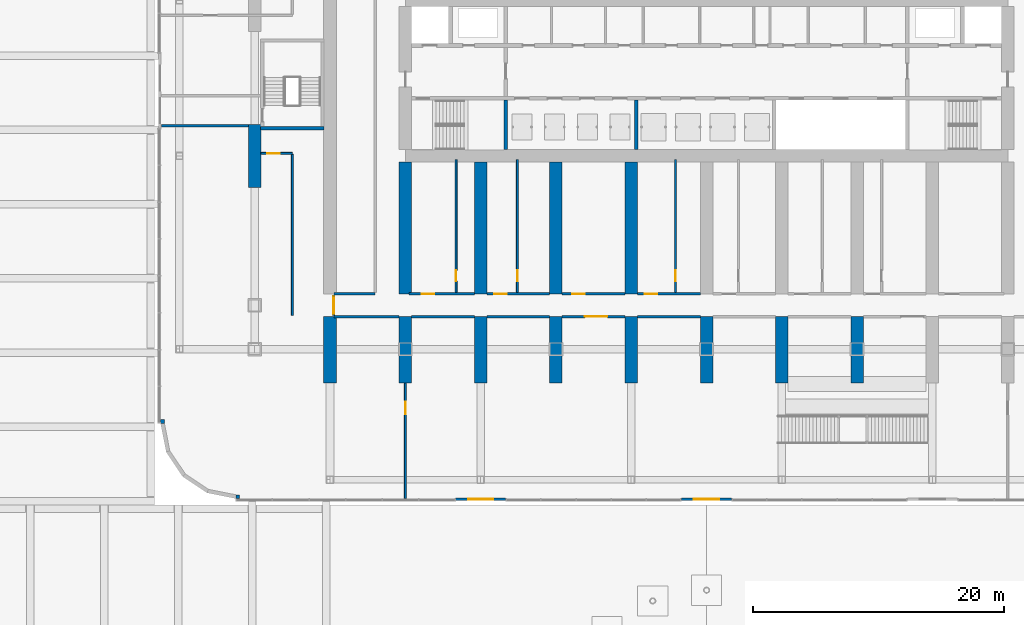
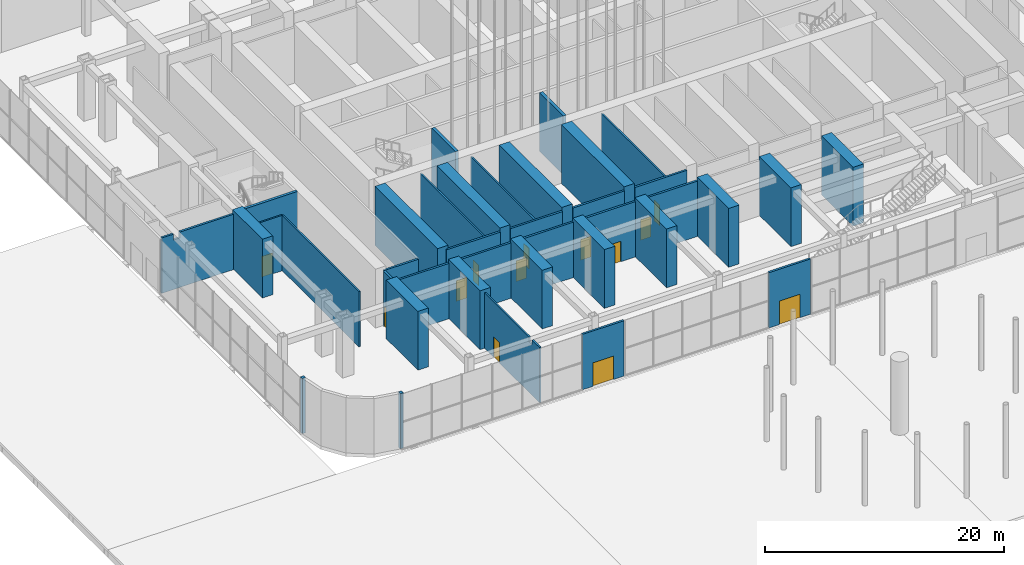
# One storey, part 17 of 57: 38 walls, 13 doors, 13 openings.
"""IFC4 building model written with IfcOpenShell, lengths in metres."""

from ifc_helpers import new_model, si_unit, direction, frame, frame_2d, origin, place, context, subcontext, project, spatial, polyline, rectangle, outline, extrude, material, layer, layer_set, type_object, element, fill, save


model = new_model("IFC4")

# Units and contexts
model_context = context("Model", 3, precision=1e-05, world=origin(), true_north=direction((0.0, 1.0)))
body_context = subcontext(model_context, "Body", "Model", "MODEL_VIEW")
ifc_project = project(units=[si_unit("LENGTHUNIT", "METRE"), si_unit("AREAUNIT", "SQUARE_METRE"), si_unit("VOLUMEUNIT", "CUBIC_METRE"), si_unit("PLANEANGLEUNIT", "RADIAN"), si_unit("MASSUNIT", "GRAM", prefix="KILO")], contexts=[model_context])

# Site, building, storey
site_placement = place(None, origin())
site = spatial("IfcSite", under=ifc_project, at=site_placement, CompositionType="ELEMENT")
building_placement = place(site_placement, origin())
building = spatial("IfcBuilding", under=site, at=building_placement, Name="Orbita Commons", CompositionType="ELEMENT")
storey_placement = place(building_placement, origin())
storey = spatial("IfcBuildingStorey", under=building, at=storey_placement, Name="L00", CompositionType="ELEMENT", Elevation=0.0)

# Walls
ifc_material_1 = material(Name="Concrete C50/60", Category="concrete")
ifc_layer_1 = layer(ifc_material_1, 0.300048828125)
ifc_layer_set_1 = layer_set([ifc_layer_1], Name="Concrete C50/60")
wall_type_1 = type_object("IfcWallType", Name="Core inner wall 300 C50/60", PredefinedType="SHEAR", material=ifc_layer_set_1)
for number, where, z_axis, x_axis, name in (
    (1, (26.0, 26.300048828125, 0.0), (0.0, 0.0, 1.0), (0.0, 1.0, 0.0), "Stair S1 wall L00"),
    (2, (36.39990234375, 26.300048828125, 0.0), (0.0, 0.0, 1.0), (0.0, 1.0, 0.0), "Hoistway division wall L00"),
):
    element("IfcWall", number, at=place(storey_placement, frame(where, z_axis=z_axis, x_axis=x_axis)), inside=storey, type_object=wall_type_1, Name=name, PredefinedType="SHEAR", context=body_context, shape_type="SweptSolid", body=[
        extrude(rectangle(XDim=3.949951171875, YDim=0.300048828125, at=frame_2d((1.97509765625, 0.0))), origin(), (0.0, 0.0, 1.0), 6.0),
    ])
ifc_material_2 = material(Name="Concrete blockwork", Category="masonry")
ifc_layer_2 = layer(ifc_material_2, 0.199951171875)
ifc_layer_set_2 = layer_set([ifc_layer_2], Name="Concrete blockwork")
wall_type_2 = type_object("IfcWallType", Name="Corridor wall 200 blockwork", PredefinedType="SOLIDWALL", material=ifc_layer_set_2)
wall_1_placement = place(storey_placement, frame((12.300048828125, 13.0, 0.0), z_axis=(0.0, 0.0, 1.0), x_axis=(1.0, 0.0, 0.0)))
element("IfcWall", 3, at=wall_1_placement, inside=storey, type_object=wall_type_2, Name="Corridor wall 200 blockwork L00", PredefinedType="SOLIDWALL", context=body_context, shape_type="SweptSolid", body=[
    extrude(rectangle(XDim=5.199951171875, YDim=0.199951171875, at=frame_2d((2.60009765625, 0.0))), origin(), (0.0, 0.0, 1.0), 5.64990234375),
])
for number, where, z_axis, x_axis, name in (
    (4, (18.5, 13.0, 0.0), (0.0, 0.0, 1.0), (1.0, 0.0, 0.0), "Corridor wall 200 blockwork L00"),
    (5, (24.5, 13.0, 0.0), (0.0, 0.0, 1.0), (1.0, 0.0, 0.0), "Corridor wall 200 blockwork L00"),
):
    element("IfcWall", number, at=place(storey_placement, frame(where, z_axis=z_axis, x_axis=x_axis)), inside=storey, type_object=wall_type_2, Name=name, PredefinedType="SOLIDWALL", context=body_context, shape_type="SweptSolid", body=[
        extrude(rectangle(XDim=5.0, YDim=0.199951171875, at=frame_2d((2.5, 0.0))), origin(), (0.0, 0.0, 1.0), 5.64990234375),
    ])

# Wall, opening, door
wall_2_placement = place(storey_placement, frame((30.5, 13.0, 0.0), z_axis=(0.0, 0.0, 1.0), x_axis=(1.0, 0.0, 0.0)))
wall_2 = element("IfcWall", 6, at=wall_2_placement, inside=storey, type_object=wall_type_2, Name="Corridor wall 200 blockwork L00", PredefinedType="SOLIDWALL", context=body_context, shape_type="SweptSolid", body=[
    extrude(rectangle(XDim=5.0, YDim=0.199951171875, at=frame_2d((2.5, 0.0))), origin(), (0.0, 0.0, 1.0), 5.64990234375),
])
opening_1_placement = place(wall_2_placement, frame((1.800048828125, 0.0, 0.0)))
opening_1 = element("IfcOpeningElement", 7, at=opening_1_placement, cuts=wall_2, Name="Opening D07", PredefinedType="OPENING", context=body_context, shape_type="SweptSolid", body=[
    extrude(rectangle(XDim=1.800048828125, YDim=2.10009765625, at=frame_2d((0.89990234375, 1.050048828125))), frame((0.0, 0.10986328125, 0.0), z_axis=(0.0, -1.0, 0.0), x_axis=(1.0, 0.0, 0.0)), (0.0, 0.0, 1.0), 0.219970703125),
])
ifc_material_3 = material(Name="Steel-faced fire door leaf", Category="steel")
door_type_1 = type_object("IfcDoorType", Name="Double corridor door 20 min 1800x2100", OperationType="DOUBLE_DOOR_SINGLE_SWING", PredefinedType="DOOR", material=ifc_material_3)
door_1_placement = place(opening_1_placement, origin())
door_1 = element("IfcDoor", 8, at=door_1_placement, inside=storey, type_object=door_type_1, Name="Hall doors south", OperationType="DOUBLE_DOOR_SINGLE_SWING", OverallHeight=2.10009765625, OverallWidth=1.800048828125, PredefinedType="DOOR", context=body_context, shape_type="SweptSolid", body=[
    extrude(rectangle(XDim=1.800048828125, YDim=2.10009765625, at=frame_2d((0.89990234375, 1.050048828125))), frame((0.0, 0.02490234375, 0.0), z_axis=(0.0, -1.0, 0.0), x_axis=(1.0, 0.0, 0.0)), (0.0, 0.0, 1.0), 0.050048828125),
])
fill(opening_1, door_1)

# Walls
wall_3_placement = place(storey_placement, frame((36.5, 13.0, 0.0), z_axis=(0.0, 0.0, 1.0), x_axis=(1.0, 0.0, 0.0)))
element("IfcWall", 9, at=wall_3_placement, inside=storey, type_object=wall_type_2, Name="Corridor wall 200 blockwork L00", PredefinedType="SOLIDWALL", context=body_context, shape_type="SweptSolid", body=[
    extrude(rectangle(XDim=5.0, YDim=0.199951171875, at=frame_2d((2.5, 0.0))), origin(), (0.0, 0.0, 1.0), 5.64990234375),
])
wall_4_placement = place(storey_placement, frame((12.300048828125, 14.800048828125, 0.0), z_axis=(0.0, 0.0, 1.0), x_axis=(1.0, 0.0, 0.0)))
element("IfcWall", 10, at=wall_4_placement, inside=storey, type_object=wall_type_2, Name="Corridor wall 200 blockwork L00", PredefinedType="SOLIDWALL", context=body_context, shape_type="SweptSolid", body=[
    extrude(rectangle(XDim=3.300048828125, YDim=0.199951171875, at=frame_2d((1.64990234375, 0.0))), origin(), (0.0, 0.0, 1.0), 5.64990234375),
])

# Wall, opening, door
wall_5_placement = place(storey_placement, frame((18.300048828125, 14.800048828125, 0.0), z_axis=(0.0, 0.0, 1.0), x_axis=(1.0, 0.0, 0.0)))
wall_5 = element("IfcWall", 11, at=wall_5_placement, inside=storey, type_object=wall_type_2, Name="Corridor wall 200 blockwork L00", PredefinedType="SOLIDWALL", context=body_context, shape_type="SweptSolid", body=[
    extrude(rectangle(XDim=5.199951171875, YDim=0.199951171875, at=frame_2d((2.60009765625, 0.0))), origin(), (0.0, 0.0, 1.0), 5.64990234375),
])
opening_2_placement = place(wall_5_placement, frame((1.0, 0.0, 0.0)))
opening_2 = element("IfcOpeningElement", 12, at=opening_2_placement, cuts=wall_5, Name="Opening D06", PredefinedType="OPENING", context=body_context, shape_type="SweptSolid", body=[
    extrude(rectangle(XDim=1.0, YDim=2.10009765625, at=frame_2d((0.5, 1.050048828125))), frame((0.0, 0.10986328125, 0.0), z_axis=(0.0, -1.0, 0.0), x_axis=(1.0, 0.0, 0.0)), (0.0, 0.0, 1.0), 0.219970703125),
])
ifc_material_4 = material(Name="Steel-faced fire door leaf", Category="steel")
door_type_2 = type_object("IfcDoorType", Name="Corridor door 20 min 1000x2100", OperationType="SINGLE_SWING_LEFT", PredefinedType="DOOR", material=ifc_material_4)
door_2_placement = place(opening_2_placement, origin())
door_2 = element("IfcDoor", 13, at=door_2_placement, inside=storey, type_object=door_type_2, Name="Room door", OperationType="SINGLE_SWING_LEFT", OverallHeight=2.10009765625, OverallWidth=1.0, PredefinedType="DOOR", context=body_context, shape_type="SweptSolid", body=[
    extrude(rectangle(XDim=1.0, YDim=2.10009765625, at=frame_2d((0.5, 1.050048828125))), frame((0.0, 0.02490234375, 0.0), z_axis=(0.0, -1.0, 0.0), x_axis=(1.0, 0.0, 0.0)), (0.0, 0.0, 1.0), 0.050048828125),
])
fill(opening_2, door_2)

wall_6_placement = place(storey_placement, frame((24.5, 14.800048828125, 0.0), z_axis=(0.0, 0.0, 1.0), x_axis=(1.0, 0.0, 0.0)))
wall_6 = element("IfcWall", 14, at=wall_6_placement, inside=storey, type_object=wall_type_2, Name="Corridor wall 200 blockwork L00", PredefinedType="SOLIDWALL", context=body_context, shape_type="SweptSolid", body=[
    extrude(rectangle(XDim=5.0, YDim=0.199951171875, at=frame_2d((2.5, 0.0))), origin(), (0.0, 0.0, 1.0), 5.64990234375),
])
opening_3_placement = place(wall_6_placement, frame((0.574951171875, 0.0, 0.0)))
opening_3 = element("IfcOpeningElement", 15, at=opening_3_placement, cuts=wall_6, Name="Opening D06", PredefinedType="OPENING", context=body_context, shape_type="SweptSolid", body=[
    extrude(rectangle(XDim=1.0, YDim=2.10009765625, at=frame_2d((0.5, 1.050048828125))), frame((0.0, 0.10986328125, 0.0), z_axis=(0.0, -1.0, 0.0), x_axis=(1.0, 0.0, 0.0)), (0.0, 0.0, 1.0), 0.219970703125),
])
door_3_placement = place(opening_3_placement, origin())
door_3 = element("IfcDoor", 16, at=door_3_placement, inside=storey, type_object=door_type_2, Name="Room door", OperationType="SINGLE_SWING_LEFT", OverallHeight=2.10009765625, OverallWidth=1.0, PredefinedType="DOOR", context=body_context, shape_type="SweptSolid", body=[
    extrude(rectangle(XDim=1.0, YDim=2.10009765625, at=frame_2d((0.5, 1.050048828125))), frame((0.0, 0.02490234375, 0.0), z_axis=(0.0, -1.0, 0.0), x_axis=(1.0, 0.0, 0.0)), (0.0, 0.0, 1.0), 0.050048828125),
])
fill(opening_3, door_3)

wall_7_placement = place(storey_placement, frame((30.5, 14.800048828125, 0.0), z_axis=(0.0, 0.0, 1.0), x_axis=(1.0, 0.0, 0.0)))
wall_7 = element("IfcWall", 17, at=wall_7_placement, inside=storey, type_object=wall_type_2, Name="Corridor wall 200 blockwork L00", PredefinedType="SOLIDWALL", context=body_context, shape_type="SweptSolid", body=[
    extrude(rectangle(XDim=5.0, YDim=0.199951171875, at=frame_2d((2.5, 0.0))), origin(), (0.0, 0.0, 1.0), 5.64990234375),
])
opening_4_placement = place(wall_7_placement, frame((0.800048828125, 0.0, 0.0)))
opening_4 = element("IfcOpeningElement", 18, at=opening_4_placement, cuts=wall_7, Name="Opening D06", PredefinedType="OPENING", context=body_context, shape_type="SweptSolid", body=[
    extrude(rectangle(XDim=1.0, YDim=2.10009765625, at=frame_2d((0.5, 1.050048828125))), frame((0.0, 0.10986328125, 0.0), z_axis=(0.0, -1.0, 0.0), x_axis=(1.0, 0.0, 0.0)), (0.0, 0.0, 1.0), 0.219970703125),
])
door_4_placement = place(opening_4_placement, origin())
door_4 = element("IfcDoor", 19, at=door_4_placement, inside=storey, type_object=door_type_2, Name="Room door", OperationType="SINGLE_SWING_LEFT", OverallHeight=2.10009765625, OverallWidth=1.0, PredefinedType="DOOR", context=body_context, shape_type="SweptSolid", body=[
    extrude(rectangle(XDim=1.0, YDim=2.10009765625, at=frame_2d((0.5, 1.050048828125))), frame((0.0, 0.02490234375, 0.0), z_axis=(0.0, -1.0, 0.0), x_axis=(1.0, 0.0, 0.0)), (0.0, 0.0, 1.0), 0.050048828125),
])
fill(opening_4, door_4)

wall_8_placement = place(storey_placement, frame((36.5, 14.800048828125, 0.0), z_axis=(0.0, 0.0, 1.0), x_axis=(1.0, 0.0, 0.0)))
wall_8 = element("IfcWall", 20, at=wall_8_placement, inside=storey, type_object=wall_type_2, Name="Corridor wall 200 blockwork L00", PredefinedType="SOLIDWALL", context=body_context, shape_type="SweptSolid", body=[
    extrude(rectangle(XDim=5.0, YDim=0.199951171875, at=frame_2d((2.5, 0.0))), origin(), (0.0, 0.0, 1.0), 5.64990234375),
])
opening_5_placement = place(wall_8_placement, frame((0.574951171875, 0.0, 0.0)))
opening_5 = element("IfcOpeningElement", 21, at=opening_5_placement, cuts=wall_8, Name="Opening D06", PredefinedType="OPENING", context=body_context, shape_type="SweptSolid", body=[
    extrude(rectangle(XDim=1.0, YDim=2.10009765625, at=frame_2d((0.5, 1.050048828125))), frame((0.0, 0.10986328125, 0.0), z_axis=(0.0, -1.0, 0.0), x_axis=(1.0, 0.0, 0.0)), (0.0, 0.0, 1.0), 0.219970703125),
])
door_5_placement = place(opening_5_placement, origin())
door_5 = element("IfcDoor", 22, at=door_5_placement, inside=storey, type_object=door_type_2, Name="Room door", OperationType="SINGLE_SWING_LEFT", OverallHeight=2.10009765625, OverallWidth=1.0, PredefinedType="DOOR", context=body_context, shape_type="SweptSolid", body=[
    extrude(rectangle(XDim=1.0, YDim=2.10009765625, at=frame_2d((0.5, 1.050048828125))), frame((0.0, 0.02490234375, 0.0), z_axis=(0.0, -1.0, 0.0), x_axis=(1.0, 0.0, 0.0)), (0.0, 0.0, 1.0), 0.050048828125),
])
fill(opening_5, door_5)

wall_9_placement = place(storey_placement, frame((12.300048828125, 13.10009765625, 0.0), z_axis=(0.0, 0.0, 1.0), x_axis=(0.0, 1.0, 0.0)))
wall_9 = element("IfcWall", 23, at=wall_9_placement, inside=storey, type_object=wall_type_2, Name="Corridor wall 200 blockwork L00", PredefinedType="SOLIDWALL", context=body_context, shape_type="SweptSolid", body=[
    extrude(rectangle(XDim=1.599853515625, YDim=0.199951171875, at=frame_2d((0.7998046875, 0.0))), origin(), (0.0, 0.0, 1.0), 5.64990234375),
])
opening_6_placement = place(wall_9_placement, frame((0.10009765625, 0.0, 0.0)))
opening_6 = element("IfcOpeningElement", 24, at=opening_6_placement, cuts=wall_9, Name="Opening D08", PredefinedType="OPENING", context=body_context, shape_type="SweptSolid", body=[
    extrude(rectangle(XDim=1.39990234375, YDim=2.10009765625, at=frame_2d((0.699951171875, 1.050048828125))), frame((0.0, 0.10986328125, 0.0), z_axis=(0.0, -1.0, 0.0), x_axis=(1.0, 0.0, 0.0)), (0.0, 0.0, 1.0), 0.219970703125),
])
ifc_material_5 = material(Name="Steel-faced fire door leaf", Category="steel")
door_type_3 = type_object("IfcDoorType", Name="Double corridor door 20 min 1400x2100", OperationType="DOUBLE_DOOR_SINGLE_SWING", PredefinedType="DOOR", material=ifc_material_5)
door_6_placement = place(opening_6_placement, origin())
door_6 = element("IfcDoor", 25, at=door_6_placement, inside=storey, type_object=door_type_3, Name="End room doors", OperationType="DOUBLE_DOOR_SINGLE_SWING", OverallHeight=2.10009765625, OverallWidth=1.39990234375, PredefinedType="DOOR", context=body_context, shape_type="SweptSolid", body=[
    extrude(rectangle(XDim=1.39990234375, YDim=2.10009765625, at=frame_2d((0.699951171875, 1.050048828125))), frame((0.0, 0.02490234375, 0.0), z_axis=(0.0, -1.0, 0.0), x_axis=(1.0, 0.0, 0.0)), (0.0, 0.0, 1.0), 0.050048828125),
])
fill(opening_6, door_6)

# Walls
ifc_material_6 = material(Name="Hollow concrete block 200", Category="concrete")
ifc_layer_3 = layer(ifc_material_6, 0.199951171875)
ifc_layer_set_3 = layer_set([ifc_layer_3], Name="Hollow concrete block 200")
wall_type_3 = type_object("IfcWallType", Name="Corridor wall 200 hollow concrete block", PredefinedType="SOLIDWALL", material=ifc_layer_set_3)
wall_10_placement = place(storey_placement, frame((-1.445068359375, 28.199951171875, 0.0), z_axis=(0.0, 0.0, 1.0), x_axis=(1.0, 0.0, 0.0)))
element("IfcWall", 26, at=wall_10_placement, inside=storey, type_object=wall_type_3, Name="Corridor wall 200 hollow concrete block L00", PredefinedType="SOLIDWALL", context=body_context, shape_type="SweptSolid", body=[
    extrude(outline(polyline([(0.0, 0.0), (6.945068359375, 0.0), (6.945068359375, 5.64990234375), (1.7470703125, 5.64990234375), (1.7451171875, 5.050048828125), (1.14697265625, 5.050048828125), (1.14501953125, 5.64990234375), (0.0, 5.64990234375), (0.0, 0.0)])), frame((0.0, 0.10009765625, 0.0), z_axis=(0.0, -1.0, 0.0), x_axis=(1.0, 0.0, 0.0)), (0.0, 0.0, 1.0), 0.199951171875),
])
ifc_material_7 = material(Name="Concrete C50/60", Category="concrete")
ifc_layer_4 = layer(ifc_material_7, 1.0)
ifc_layer_set_4 = layer_set([ifc_layer_4], Name="Concrete C50/60")
wall_type_4 = type_object("IfcWallType", Name="Cross wall 1000 C50/60", PredefinedType="SHEAR", material=ifc_layer_set_4)
for number, where, z_axis, x_axis, name in (
    (27, (12.0, 7.699951171875, 0.0), (0.0, 0.0, 1.0), (0.0, 1.0, 0.0), "Cross wall 3 south outer L00"),
    (28, (18.0, 7.699951171875, 0.0), (0.0, 0.0, 1.0), (0.0, 1.0, 0.0), "Cross wall 4 south outer L00"),
):
    element("IfcWall", number, at=place(storey_placement, frame(where, z_axis=z_axis, x_axis=x_axis)), inside=storey, type_object=wall_type_4, Name=name, PredefinedType="SHEAR", context=body_context, shape_type="SweptSolid", body=[
        extrude(rectangle(XDim=5.300048828125, YDim=1.0, at=frame_2d((2.64990234375, 0.0))), origin(), (0.0, 0.0, 1.0), 6.0),
    ])
wall_11_placement = place(storey_placement, frame((18.0, 14.800048828125, 0.0), z_axis=(0.0, 0.0, 1.0), x_axis=(0.0, 1.0, 0.0)))
element("IfcWall", 29, at=wall_11_placement, inside=storey, type_object=wall_type_4, Name="Cross wall 4 south inner L00", PredefinedType="SHEAR", context=body_context, shape_type="SweptSolid", body=[
    extrude(rectangle(XDim=10.5, YDim=1.0, at=frame_2d((5.25, 0.0))), origin(), (0.0, 0.0, 1.0), 6.0),
])
wall_12_placement = place(storey_placement, frame((24.0, 7.699951171875, 0.0), z_axis=(0.0, 0.0, 1.0), x_axis=(0.0, 1.0, 0.0)))
element("IfcWall", 30, at=wall_12_placement, inside=storey, type_object=wall_type_4, Name="Cross wall 5 south outer L00", PredefinedType="SHEAR", context=body_context, shape_type="SweptSolid", body=[
    extrude(rectangle(XDim=5.300048828125, YDim=1.0, at=frame_2d((2.64990234375, 0.0))), origin(), (0.0, 0.0, 1.0), 6.0),
])
wall_13_placement = place(storey_placement, frame((24.0, 14.800048828125, 0.0), z_axis=(0.0, 0.0, 1.0), x_axis=(0.0, 1.0, 0.0)))
element("IfcWall", 31, at=wall_13_placement, inside=storey, type_object=wall_type_4, Name="Cross wall 5 south inner L00", PredefinedType="SHEAR", context=body_context, shape_type="SweptSolid", body=[
    extrude(rectangle(XDim=10.5, YDim=1.0, at=frame_2d((5.25, 0.0))), origin(), (0.0, 0.0, 1.0), 6.0),
])
wall_14_placement = place(storey_placement, frame((30.0, 7.699951171875, 0.0), z_axis=(0.0, 0.0, 1.0), x_axis=(0.0, 1.0, 0.0)))
element("IfcWall", 32, at=wall_14_placement, inside=storey, type_object=wall_type_4, Name="Cross wall 6 south outer L00", PredefinedType="SHEAR", context=body_context, shape_type="SweptSolid", body=[
    extrude(rectangle(XDim=5.300048828125, YDim=1.0, at=frame_2d((2.64990234375, 0.0))), origin(), (0.0, 0.0, 1.0), 6.0),
])
wall_15_placement = place(storey_placement, frame((30.0, 14.800048828125, 0.0), z_axis=(0.0, 0.0, 1.0), x_axis=(0.0, 1.0, 0.0)))
element("IfcWall", 33, at=wall_15_placement, inside=storey, type_object=wall_type_4, Name="Cross wall 6 south inner L00", PredefinedType="SHEAR", context=body_context, shape_type="SweptSolid", body=[
    extrude(rectangle(XDim=10.5, YDim=1.0, at=frame_2d((5.25, 0.0))), origin(), (0.0, 0.0, 1.0), 6.0),
])
wall_16_placement = place(storey_placement, frame((36.0, 7.699951171875, 0.0), z_axis=(0.0, 0.0, 1.0), x_axis=(0.0, 1.0, 0.0)))
element("IfcWall", 34, at=wall_16_placement, inside=storey, type_object=wall_type_4, Name="Cross wall 7 south outer L00", PredefinedType="SHEAR", context=body_context, shape_type="SweptSolid", body=[
    extrude(rectangle(XDim=5.300048828125, YDim=1.0, at=frame_2d((2.64990234375, 0.0))), origin(), (0.0, 0.0, 1.0), 6.0),
])
wall_17_placement = place(storey_placement, frame((36.0, 14.800048828125, 0.0), z_axis=(0.0, 0.0, 1.0), x_axis=(0.0, 1.0, 0.0)))
element("IfcWall", 35, at=wall_17_placement, inside=storey, type_object=wall_type_4, Name="Cross wall 7 south inner L00", PredefinedType="SHEAR", context=body_context, shape_type="SweptSolid", body=[
    extrude(rectangle(XDim=10.5, YDim=1.0, at=frame_2d((5.25, 0.0))), origin(), (0.0, 0.0, 1.0), 6.0),
])
for number, where, z_axis, x_axis, name in (
    (36, (42.0, 7.699951171875, 0.0), (0.0, 0.0, 1.0), (0.0, 1.0, 0.0), "Cross wall 8 south outer L00"),
    (37, (48.0, 7.699951171875, 0.0), (0.0, 0.0, 1.0), (0.0, 1.0, 0.0), "Cross wall 9 south outer L00"),
    (38, (54.0, 7.699951171875, 0.0), (0.0, 0.0, 1.0), (0.0, 1.0, 0.0), "Cross wall 10 south outer L00"),
):
    element("IfcWall", number, at=place(storey_placement, frame(where, z_axis=z_axis, x_axis=x_axis)), inside=storey, type_object=wall_type_4, Name=name, PredefinedType="SHEAR", context=body_context, shape_type="SweptSolid", body=[
        extrude(rectangle(XDim=5.300048828125, YDim=1.0, at=frame_2d((2.64990234375, 0.0))), origin(), (0.0, 0.0, 1.0), 6.0),
    ])
ifc_material_8 = material(Name="Concrete C50/60", Category="concrete")
ifc_layer_5 = layer(ifc_material_8, 1.0)
ifc_layer_set_5 = layer_set([ifc_layer_5], Name="Concrete C50/60")
wall_type_5 = type_object("IfcWallType", Name="End pier 1000x5000 C50/60", PredefinedType="SHEAR", material=ifc_layer_set_5)
wall_18_placement = place(storey_placement, frame((6.0, 23.300048828125, 0.0), z_axis=(0.0, 0.0, 1.0), x_axis=(0.0, 1.0, 0.0)))
element("IfcWall", 39, at=wall_18_placement, inside=storey, type_object=wall_type_5, Name="End pier 2/C L00", PredefinedType="SHEAR", context=body_context, shape_type="SweptSolid", body=[
    extrude(rectangle(XDim=5.0, YDim=1.0, at=frame_2d((2.5, 0.0))), origin(), (0.0, 0.0, 1.0), 6.0),
])

# Wall, opening, door
ifc_material_9 = material(Name="Aluminium framed glazed screen", Category="aluminium")
ifc_layer_6 = layer(ifc_material_9, 0.199951171875)
ifc_layer_set_6 = layer_set([ifc_layer_6], Name="Aluminium framed glazed screen")
wall_type_6 = type_object("IfcWallType", Name="Glazed entrance screen 200", PredefinedType="SOLIDWALL", material=ifc_layer_set_6)
wall_19_placement = place(storey_placement, frame((22.0, -1.550048828125, 0.0), z_axis=(0.0, 0.0, 1.0), x_axis=(1.0, 0.0, 0.0)))
wall_19 = element("IfcWall", 40, at=wall_19_placement, inside=storey, type_object=wall_type_6, Name="Entrance screen S 1", PredefinedType="SOLIDWALL", context=body_context, shape_type="SweptSolid", body=[
    extrude(rectangle(XDim=4.0, YDim=0.199951171875, at=frame_2d((2.0, 0.0))), origin(), (0.0, 0.0, 1.0), 5.64990234375),
])
opening_7_placement = place(wall_19_placement, frame((1.0, 0.0, 0.0)))
opening_7 = element("IfcOpeningElement", 41, at=opening_7_placement, cuts=wall_19, Name="Opening D91", PredefinedType="OPENING", context=body_context, shape_type="SweptSolid", body=[
    extrude(rectangle(XDim=2.0, YDim=2.39990234375, at=frame_2d((1.0, 1.199951171875))), frame((0.0, 0.10986328125, 0.0), z_axis=(0.0, -1.0, 0.0), x_axis=(1.0, 0.0, 0.0)), (0.0, 0.0, 1.0), 0.219970703125),
])
ifc_material_10 = material(Name="Aluminium glazed door", Category="aluminium")
door_type_4 = type_object("IfcDoorType", Name="Entrance door pair 2000x2400", OperationType="DOUBLE_DOOR_SINGLE_SWING", PredefinedType="DOOR", material=ifc_material_10)
door_7_placement = place(opening_7_placement, origin())
door_7 = element("IfcDoor", 42, at=door_7_placement, inside=storey, type_object=door_type_4, Name="Entrance doors S 1", OperationType="DOUBLE_DOOR_SINGLE_SWING", OverallHeight=2.39990234375, OverallWidth=2.0, PredefinedType="DOOR", context=body_context, shape_type="SweptSolid", body=[
    extrude(rectangle(XDim=2.0, YDim=2.39990234375, at=frame_2d((1.0, 1.199951171875))), frame((0.0, 0.02490234375, 0.0), z_axis=(0.0, -1.0, 0.0), x_axis=(1.0, 0.0, 0.0)), (0.0, 0.0, 1.0), 0.050048828125),
])
fill(opening_7, door_7)

wall_20_placement = place(storey_placement, frame((40.0, -1.550048828125, 0.0), z_axis=(0.0, 0.0, 1.0), x_axis=(1.0, 0.0, 0.0)))
wall_20 = element("IfcWall", 43, at=wall_20_placement, inside=storey, type_object=wall_type_6, Name="Entrance screen S 2", PredefinedType="SOLIDWALL", context=body_context, shape_type="SweptSolid", body=[
    extrude(rectangle(XDim=4.0, YDim=0.199951171875, at=frame_2d((2.0, 0.0))), origin(), (0.0, 0.0, 1.0), 5.64990234375),
])
opening_8_placement = place(wall_20_placement, frame((1.0, 0.0, 0.0)))
opening_8 = element("IfcOpeningElement", 44, at=opening_8_placement, cuts=wall_20, Name="Opening D91", PredefinedType="OPENING", context=body_context, shape_type="SweptSolid", body=[
    extrude(rectangle(XDim=2.0, YDim=2.39990234375, at=frame_2d((1.0, 1.199951171875))), frame((0.0, 0.10986328125, 0.0), z_axis=(0.0, -1.0, 0.0), x_axis=(1.0, 0.0, 0.0)), (0.0, 0.0, 1.0), 0.219970703125),
])
door_8_placement = place(opening_8_placement, origin())
door_8 = element("IfcDoor", 45, at=door_8_placement, inside=storey, type_object=door_type_4, Name="Entrance doors S 2", OperationType="DOUBLE_DOOR_SINGLE_SWING", OverallHeight=2.39990234375, OverallWidth=2.0, PredefinedType="DOOR", context=body_context, shape_type="SweptSolid", body=[
    extrude(rectangle(XDim=2.0, YDim=2.39990234375, at=frame_2d((1.0, 1.199951171875))), frame((0.0, 0.02490234375, 0.0), z_axis=(0.0, -1.0, 0.0), x_axis=(1.0, 0.0, 0.0)), (0.0, 0.0, 1.0), 0.050048828125),
])
fill(opening_8, door_8)

ifc_material_11 = material(Name="Gypsum plasterboard on steel studs", Category="steel")
ifc_layer_7 = layer(ifc_material_11, 0.14990234375)
ifc_layer_set_7 = layer_set([ifc_layer_7], Name="Gypsum plasterboard on steel studs")
wall_type_7 = type_object("IfcWallType", Name="Partition 150 plasterboard", PredefinedType="PARTITIONING", material=ifc_layer_set_7)
wall_21_placement = place(storey_placement, frame((22.050048828125, 14.800048828125, 0.0), z_axis=(0.0, 0.0, 1.0), x_axis=(0.0, 1.0, 0.0)))
wall_21 = element("IfcWall", 46, at=wall_21_placement, inside=storey, type_object=wall_type_7, Name="Partition 150 plasterboard L00", PredefinedType="PARTITIONING", context=body_context, shape_type="SweptSolid", body=[
    extrude(rectangle(XDim=10.699951171875, YDim=0.14990234375, at=frame_2d((5.35009765625, 0.0))), origin(), (0.0, 0.0, 1.0), 5.64990234375),
])
opening_9_placement = place(wall_21_placement, frame((1.0, 0.0, 0.0)))
opening_9 = element("IfcOpeningElement", 47, at=opening_9_placement, cuts=wall_21, Name="Opening D09", PredefinedType="OPENING", context=body_context, shape_type="SweptSolid", body=[
    extrude(rectangle(XDim=0.89990234375, YDim=2.10009765625, at=frame_2d((0.449951171875, 1.050048828125))), frame((0.0, 0.0849609375, 0.0), z_axis=(0.0, -1.0, 0.0), x_axis=(1.0, 0.0, 0.0)), (0.0, 0.0, 1.0), 0.169921875),
])
ifc_material_12 = material(Name="Laminated timber door leaf", Category="wood")
door_type_5 = type_object("IfcDoorType", Name="En-suite door 900x2100", OperationType="SINGLE_SWING_RIGHT", PredefinedType="DOOR", material=ifc_material_12)
door_9_placement = place(opening_9_placement, origin())
door_9 = element("IfcDoor", 48, at=door_9_placement, inside=storey, type_object=door_type_5, Name="Reception and management office store L00 door", OperationType="SINGLE_SWING_RIGHT", OverallHeight=2.10009765625, OverallWidth=0.89990234375, PredefinedType="DOOR", context=body_context, shape_type="SweptSolid", body=[
    extrude(rectangle(XDim=0.89990234375, YDim=2.10009765625, at=frame_2d((0.449951171875, 1.050048828125))), frame((0.0, 0.02490234375, 0.0), z_axis=(0.0, -1.0, 0.0), x_axis=(1.0, 0.0, 0.0)), (0.0, 0.0, 1.0), 0.050048828125),
])
fill(opening_9, door_9)

wall_22_placement = place(storey_placement, frame((26.925048828125, 14.800048828125, 0.0), z_axis=(0.0, 0.0, 1.0), x_axis=(0.0, 1.0, 0.0)))
wall_22 = element("IfcWall", 49, at=wall_22_placement, inside=storey, type_object=wall_type_7, Name="Partition 150 plasterboard L00", PredefinedType="PARTITIONING", context=body_context, shape_type="SweptSolid", body=[
    extrude(rectangle(XDim=10.699951171875, YDim=0.14990234375, at=frame_2d((5.35009765625, 0.0))), origin(), (0.0, 0.0, 1.0), 5.64990234375),
])
opening_10_placement = place(wall_22_placement, frame((1.0, 0.0, 0.0)))
opening_10 = element("IfcOpeningElement", 50, at=opening_10_placement, cuts=wall_22, Name="Opening D09", PredefinedType="OPENING", context=body_context, shape_type="SweptSolid", body=[
    extrude(rectangle(XDim=0.89990234375, YDim=2.10009765625, at=frame_2d((0.449951171875, 1.050048828125))), frame((0.0, 0.0849609375, 0.0), z_axis=(0.0, -1.0, 0.0), x_axis=(1.0, 0.0, 0.0)), (0.0, 0.0, 1.0), 0.169921875),
])
door_10_placement = place(opening_10_placement, origin())
door_10 = element("IfcDoor", 51, at=door_10_placement, inside=storey, type_object=door_type_5, Name="Management store L00 door", OperationType="SINGLE_SWING_RIGHT", OverallHeight=2.10009765625, OverallWidth=0.89990234375, PredefinedType="DOOR", context=body_context, shape_type="SweptSolid", body=[
    extrude(rectangle(XDim=0.89990234375, YDim=2.10009765625, at=frame_2d((0.449951171875, 1.050048828125))), frame((0.0, 0.02490234375, 0.0), z_axis=(0.0, -1.0, 0.0), x_axis=(1.0, 0.0, 0.0)), (0.0, 0.0, 1.0), 0.050048828125),
])
fill(opening_10, door_10)

wall_23_placement = place(storey_placement, frame((39.52490234375, 14.800048828125, 0.0), z_axis=(0.0, 0.0, 1.0), x_axis=(0.0, 1.0, 0.0)))
wall_23 = element("IfcWall", 52, at=wall_23_placement, inside=storey, type_object=wall_type_7, Name="Partition 150 plasterboard L00", PredefinedType="PARTITIONING", context=body_context, shape_type="SweptSolid", body=[
    extrude(rectangle(XDim=10.699951171875, YDim=0.14990234375, at=frame_2d((5.35009765625, 0.0))), origin(), (0.0, 0.0, 1.0), 5.64990234375),
])
opening_11_placement = place(wall_23_placement, frame((1.0, 0.0, 0.0)))
opening_11 = element("IfcOpeningElement", 53, at=opening_11_placement, cuts=wall_23, Name="Opening D09", PredefinedType="OPENING", context=body_context, shape_type="SweptSolid", body=[
    extrude(rectangle(XDim=0.89990234375, YDim=2.10009765625, at=frame_2d((0.449951171875, 1.050048828125))), frame((0.0, 0.0849609375, 0.0), z_axis=(0.0, -1.0, 0.0), x_axis=(1.0, 0.0, 0.0)), (0.0, 0.0, 1.0), 0.169921875),
])
door_11_placement = place(opening_11_placement, origin())
door_11 = element("IfcDoor", 54, at=door_11_placement, inside=storey, type_object=door_type_5, Name="Concierge store L00 door", OperationType="SINGLE_SWING_RIGHT", OverallHeight=2.10009765625, OverallWidth=0.89990234375, PredefinedType="DOOR", context=body_context, shape_type="SweptSolid", body=[
    extrude(rectangle(XDim=0.89990234375, YDim=2.10009765625, at=frame_2d((0.449951171875, 1.050048828125))), frame((0.0, 0.02490234375, 0.0), z_axis=(0.0, -1.0, 0.0), x_axis=(1.0, 0.0, 0.0)), (0.0, 0.0, 1.0), 0.050048828125),
])
fill(opening_11, door_11)

wall_24_placement = place(storey_placement, frame((18.0, -1.489990234375, 0.0), z_axis=(0.0, 0.0, 1.0), x_axis=(0.0, 1.0, 0.0)))
wall_24 = element("IfcWall", 55, at=wall_24_placement, inside=storey, type_object=wall_type_7, Name="Partition 150 plasterboard L00", PredefinedType="PARTITIONING", context=body_context, shape_type="SweptSolid", body=[
    extrude(outline(polyline([(0.0, 0.0), (9.18994140625, 0.0), (9.18994140625, 5.64990234375), (1.741943359375, 5.64990234375), (1.739990234375, 5.14990234375), (1.241943359375, 5.14990234375), (1.239990234375, 5.64990234375), (0.0, 5.64990234375), (0.0, 0.0)])), frame((0.0, 0.074951171875, 0.0), z_axis=(0.0, -1.0, 0.0), x_axis=(1.0, 0.0, 0.0)), (0.0, 0.0, 1.0), 0.14990234375),
])
opening_12_placement = place(wall_24_placement, frame((6.719970703125, 0.0, 0.0)))
opening_12 = element("IfcOpeningElement", 56, at=opening_12_placement, cuts=wall_24, Name="Opening D06", PredefinedType="OPENING", context=body_context, shape_type="SweptSolid", body=[
    extrude(rectangle(XDim=1.0, YDim=2.10009765625, at=frame_2d((0.5, 1.050048828125))), frame((0.0, 0.0849609375, 0.0), z_axis=(0.0, -1.0, 0.0), x_axis=(1.0, 0.0, 0.0)), (0.0, 0.0, 1.0), 0.169921875),
])
door_12_placement = place(opening_12_placement, origin())
door_12 = element("IfcDoor", 57, at=door_12_placement, inside=storey, type_object=door_type_2, Name="Porters' office door", OperationType="SINGLE_SWING_LEFT", OverallHeight=2.10009765625, OverallWidth=1.0, PredefinedType="DOOR", context=body_context, shape_type="SweptSolid", body=[
    extrude(rectangle(XDim=1.0, YDim=2.10009765625, at=frame_2d((0.5, 1.050048828125))), frame((0.0, 0.02490234375, 0.0), z_axis=(0.0, -1.0, 0.0), x_axis=(1.0, 0.0, 0.0)), (0.0, 0.0, 1.0), 0.050048828125),
])
fill(opening_12, door_12)

wall_25_placement = place(storey_placement, frame((6.5, 26.0, 0.0), z_axis=(0.0, 0.0, 1.0), x_axis=(1.0, 0.0, 0.0)))
wall_25 = element("IfcWall", 58, at=wall_25_placement, inside=storey, type_object=wall_type_7, Name="Partition 150 plasterboard L00", PredefinedType="PARTITIONING", context=body_context, shape_type="SweptSolid", body=[
    extrude(rectangle(XDim=2.5, YDim=0.14990234375, at=frame_2d((1.25, 0.0))), origin(), (0.0, 0.0, 1.0), 5.64990234375),
])
opening_13_placement = place(wall_25_placement, frame((0.5, 0.0, 0.0)))
opening_13 = element("IfcOpeningElement", 59, at=opening_13_placement, cuts=wall_25, Name="Opening D06", PredefinedType="OPENING", context=body_context, shape_type="SweptSolid", body=[
    extrude(rectangle(XDim=1.0, YDim=2.10009765625, at=frame_2d((0.5, 1.050048828125))), frame((0.0, 0.0849609375, 0.0), z_axis=(0.0, -1.0, 0.0), x_axis=(1.0, 0.0, 0.0)), (0.0, 0.0, 1.0), 0.169921875),
])
door_13_placement = place(opening_13_placement, origin())
door_13 = element("IfcDoor", 60, at=door_13_placement, inside=storey, type_object=door_type_2, Name="Student services centre door", OperationType="SINGLE_SWING_LEFT", OverallHeight=2.10009765625, OverallWidth=1.0, PredefinedType="DOOR", context=body_context, shape_type="SweptSolid", body=[
    extrude(rectangle(XDim=1.0, YDim=2.10009765625, at=frame_2d((0.5, 1.050048828125))), frame((0.0, 0.02490234375, 0.0), z_axis=(0.0, -1.0, 0.0), x_axis=(1.0, 0.0, 0.0)), (0.0, 0.0, 1.0), 0.050048828125),
])
fill(opening_13, door_13)

# Walls
wall_26_placement = place(storey_placement, frame((9.0, 13.10009765625, 0.0), z_axis=(0.0, 0.0, 1.0), x_axis=(0.0, 1.0, 0.0)))
element("IfcWall", 61, at=wall_26_placement, inside=storey, type_object=wall_type_7, Name="Partition 150 plasterboard L00", PredefinedType="PARTITIONING", context=body_context, shape_type="SweptSolid", body=[
    extrude(rectangle(XDim=12.824951171875, YDim=0.14990234375, at=frame_2d((6.41259765625, 0.0))), origin(), (0.0, 0.0, 1.0), 5.64990234375),
])
ifc_material_13 = material(Name="Concrete C50/60", Category="concrete")
ifc_layer_8 = layer(ifc_material_13, 0.25)
ifc_layer_set_8 = layer_set([ifc_layer_8], Name="Concrete C50/60")
wall_type_8 = type_object("IfcWallType", Name="Podium stair wall 250 RC", PredefinedType="SHEAR", material=ifc_layer_set_8)
wall_27_placement = place(storey_placement, frame((6.47509765625, 28.0, 0.0), z_axis=(0.0, 0.0, 1.0), x_axis=(1.0, 0.0, 0.0)))
element("IfcWall", 62, at=wall_27_placement, inside=storey, type_object=wall_type_8, Name="Podium stair PS1 wall s L00", PredefinedType="SHEAR", context=body_context, shape_type="SweptSolid", body=[
    extrude(rectangle(XDim=5.0498046875, YDim=0.25, at=frame_2d((2.52490234375, 0.0))), origin(), (0.0, 0.0, 1.0), 6.0),
])
ifc_material_14 = material(Name="Precast concrete C40/50, white board-marked finish", Category="concrete")
ifc_layer_9 = layer(ifc_material_14, 0.300048828125)
ifc_layer_set_9 = layer_set([ifc_layer_9], Name="Precast concrete C40/50, white board-marked finish")
wall_type_9 = type_object("IfcWallType", Name="Precast concrete end shield 300", PredefinedType="SOLIDWALL", material=ifc_layer_set_9)
for number, where, z_axis, x_axis, name in (
    (63, (4.5, -1.35009765625, 0.0), (0.0, 0.0, 1.0), (1.0, 0.0, 0.0), "Podium corner wall jamb S2 L00"),
    (64, (-1.35009765625, 4.5, 0.0), (0.0, 0.0, 1.0), (0.0, 1.0, 0.0), "Podium corner wall jamb W1 L00"),
):
    element("IfcWall", number, at=place(storey_placement, frame(where, z_axis=z_axis, x_axis=x_axis)), inside=storey, type_object=wall_type_9, Name=name, PredefinedType="SOLIDWALL", context=body_context, shape_type="SweptSolid", body=[
        extrude(rectangle(XDim=0.300048828125, YDim=0.300048828125, at=frame_2d((0.14990234375, 0.0))), origin(), (0.0, 0.0, 1.0), 5.64990234375),
    ])

save(model, "model.ifc")
